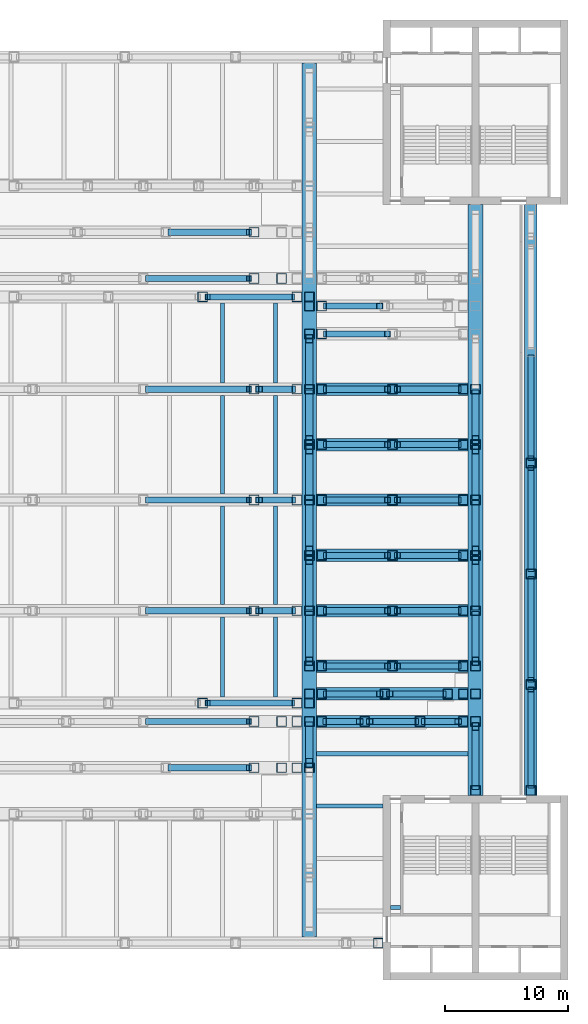
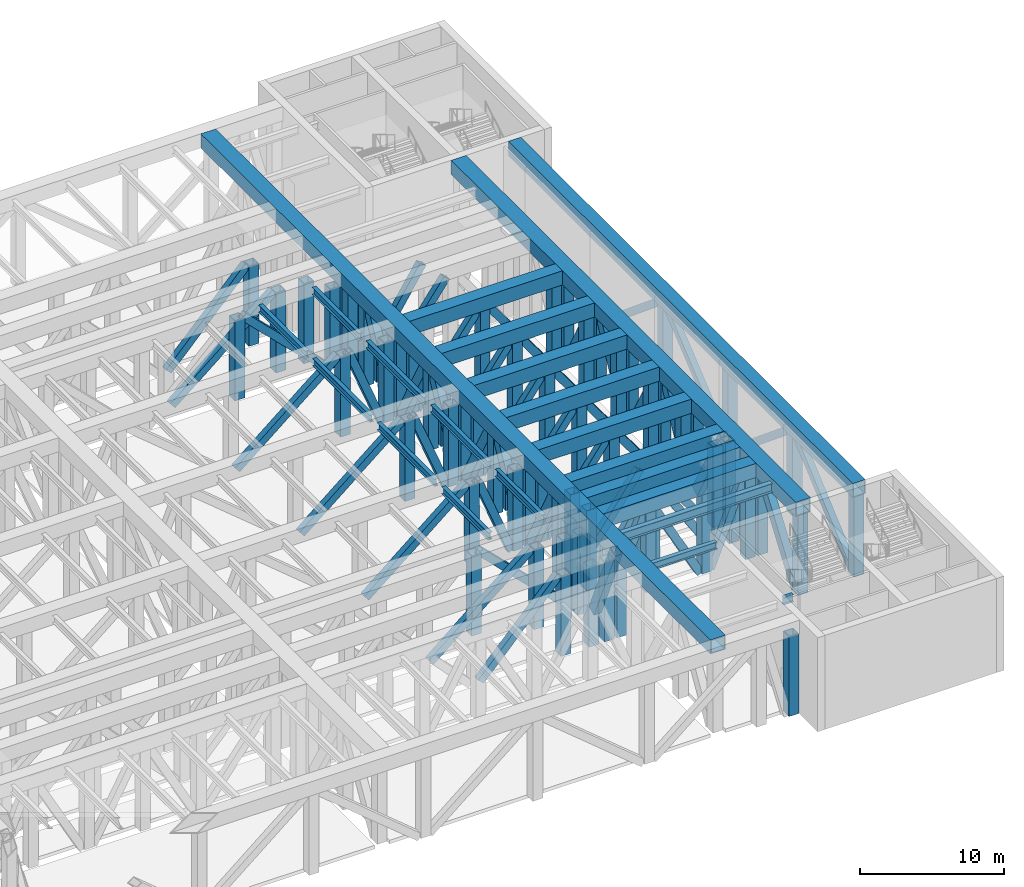
# One storey, part 4 of 20: 133 members, 11 beams.
"""IFC4 building model written with IfcOpenShell, lengths in metres."""

from ifc_helpers import new_model, si_unit, direction, frame, origin, origin_2d, place, context, subcontext, project, spatial, hollow_rectangle, i_section, extrude, material, material_profile, profile_set, type_object, element, save


model = new_model("IFC4")

# Units and contexts
model_context = context("Model", 3, precision=1e-05, world=origin(), true_north=direction((0.0, 1.0)))
body_context = subcontext(model_context, "Body", "Model", "MODEL_VIEW")
ifc_project = project(units=[si_unit("LENGTHUNIT", "METRE"), si_unit("AREAUNIT", "SQUARE_METRE"), si_unit("VOLUMEUNIT", "CUBIC_METRE"), si_unit("PLANEANGLEUNIT", "RADIAN"), si_unit("MASSUNIT", "GRAM", prefix="KILO")], contexts=[model_context])

# Site, building, storey
site_placement = place(None, origin())
site = spatial("IfcSite", under=ifc_project, at=site_placement, CompositionType="ELEMENT")
building_placement = place(site_placement, origin())
building = spatial("IfcBuilding", under=site, at=building_placement, Name="Corbelhall Arena Tower", CompositionType="ELEMENT")
storey_placement = place(building_placement, frame((0.0, 0.0, 52.0)))
storey = spatial("IfcBuildingStorey", under=building, at=storey_placement, Name="L07", CompositionType="ELEMENT", Elevation=52.0)

# Beams
ifc_material_1 = material(Name="Steel ASTM A992 Gr50", Category="steel")
ifc_material_profile_1 = material_profile(ifc_material_1, i_section(OverallWidth=0.323974609375, OverallDepth=0.611083984375, WebThickness=0.0126953125, FlangeThickness=0.01904296875, at=origin_2d()))
ifc_profile_set_1 = profile_set([ifc_material_profile_1], Name="Steel ASTM A992 Gr50")
beam_type_1 = type_object("IfcBeamType", Name="PO-BEAM-W24X104", PredefinedType="BEAM", material=ifc_profile_set_1)
for number, where, z_axis, x_axis, name in (
    (1, (19.949951171875, -16.0, 7.284423828125), (0.0, 1.0, 0.0), (-1.0, 0.0, 0.0), "DECK BEAM TOP 32.5"),
    (2, (24.25, -16.0, 7.284423828125), (0.0, 1.0, 0.0), (-1.0, 0.0, 0.0), "DECK BEAM TOP 32.6"),
):
    element("IfcBeam", number, at=place(storey_placement, frame(where, z_axis=z_axis, x_axis=x_axis)), inside=storey, type_object=beam_type_1, Name=name, PredefinedType="BEAM", context=body_context, shape_type="SweptSolid", body=[
        extrude(i_section(OverallWidth=0.323974609375, OverallDepth=0.611083984375, WebThickness=0.0126953125, FlangeThickness=0.01904296875, at=origin_2d()), origin(), (0.0, 0.0, 1.0), 6.5),
    ])
for number, where, z_axis, x_axis, name in (
    (3, (19.949951171875, -8.5, 7.284423828125), (0.0, 1.0, 0.0), (-1.0, 0.0, 0.0), "DECK BEAM TOP 33.5"),
    (4, (24.25, -8.5, 7.284423828125), (0.0, 1.0, 0.0), (-1.0, 0.0, 0.0), "DECK BEAM TOP 33.6"),
    (5, (19.949951171875, 0.5, 7.284423828125), (0.0, 1.0, 0.0), (-1.0, 0.0, 0.0), "DECK BEAM TOP 34.5"),
    (6, (24.25, 0.5, 7.284423828125), (0.0, 1.0, 0.0), (-1.0, 0.0, 0.0), "DECK BEAM TOP 34.6"),
):
    element("IfcBeam", number, at=place(storey_placement, frame(where, z_axis=z_axis, x_axis=x_axis)), inside=storey, type_object=beam_type_1, Name=name, PredefinedType="BEAM", context=body_context, shape_type="SweptSolid", body=[
        extrude(i_section(OverallWidth=0.323974609375, OverallDepth=0.611083984375, WebThickness=0.0126953125, FlangeThickness=0.01904296875, at=origin_2d()), origin(), (0.0, 0.0, 1.0), 8.0),
    ])
for number, where, z_axis, x_axis, name in (
    (7, (19.949951171875, 9.5, 7.284423828125), (0.0, 1.0, 0.0), (-1.0, 0.0, 0.0), "DECK BEAM TOP 35.5"),
    (8, (24.25, 9.5, 7.284423828125), (0.0, 1.0, 0.0), (-1.0, 0.0, 0.0), "DECK BEAM TOP 35.6"),
):
    element("IfcBeam", number, at=place(storey_placement, frame(where, z_axis=z_axis, x_axis=x_axis)), inside=storey, type_object=beam_type_1, Name=name, PredefinedType="BEAM", context=body_context, shape_type="SweptSolid", body=[
        extrude(i_section(OverallWidth=0.323974609375, OverallDepth=0.611083984375, WebThickness=0.0126953125, FlangeThickness=0.01904296875, at=origin_2d()), origin(), (0.0, 0.0, 1.0), 6.5),
    ])
beam_1_placement = place(storey_placement, frame((27.60009765625, -24.875, 7.39453125), z_axis=(1.0, 0.0, 0.0), x_axis=(0.0, 1.0, 0.0)))
element("IfcBeam", 9, at=beam_1_placement, inside=storey, type_object=beam_type_1, Name="DECK BEAM TOP 40.3", PredefinedType="BEAM", context=body_context, shape_type="SweptSolid", body=[
    extrude(i_section(OverallWidth=0.323974609375, OverallDepth=0.611083984375, WebThickness=0.0126953125, FlangeThickness=0.01904296875, at=origin_2d()), origin(), (0.0, 0.0, 1.0), 5.39990234375),
])
beam_2_placement = place(storey_placement, frame((33.60009765625, -33.10009765625, 7.39453125), z_axis=(1.0, 0.0, 0.0), x_axis=(0.0, 1.0, 0.0)))
element("IfcBeam", 10, at=beam_2_placement, inside=storey, type_object=beam_type_1, Name="Strip floor header beam SE", PredefinedType="BEAM", context=body_context, shape_type="SweptSolid", body=[
    extrude(i_section(OverallWidth=0.323974609375, OverallDepth=0.611083984375, WebThickness=0.0126953125, FlangeThickness=0.01904296875, at=origin_2d()), origin(), (0.0, 0.0, 1.0), 0.809814453125),
])
ifc_material_profile_2 = material_profile(ifc_material_1, i_section(OverallWidth=0.381103515625, OverallDepth=0.77294921875, WebThickness=0.0166015625, FlangeThickness=0.027099609375, at=origin_2d()))
ifc_profile_set_2 = profile_set([ifc_material_profile_2], Name="Steel ASTM A992 Gr50")
beam_type_2 = type_object("IfcBeamType", Name="PO-BEAM-W30X173", PredefinedType="BEAM", material=ifc_profile_set_2)
beam_3_placement = place(storey_placement, frame((27.60009765625, -20.625, 7.3134765625), z_axis=(1.0, 0.0, 0.0), x_axis=(0.0, 1.0, 0.0)))
element("IfcBeam", 11, at=beam_3_placement, inside=storey, type_object=beam_type_2, Name="DECK BEAM TOP 40.4", PredefinedType="BEAM", context=body_context, shape_type="SweptSolid", body=[
    extrude(i_section(OverallWidth=0.381103515625, OverallDepth=0.77294921875, WebThickness=0.0166015625, FlangeThickness=0.027099609375, at=origin_2d()), origin(), (0.0, 0.0, 1.0), 12.2998046875),
])

# Members
ifc_material_2 = material(Name="Steel ASTM A572 Gr50", Category="steel")
ifc_material_profile_3 = material_profile(ifc_material_2, hollow_rectangle(XDim=0.5, YDim=0.60009765625, WallThickness=0.030029296875, at=origin_2d()))
ifc_profile_set_3 = profile_set([ifc_material_profile_3], Name="Steel ASTM A572 Gr50")
member_type_1 = type_object("IfcMemberType", Name="PO-BRACE-600X500X30", PredefinedType="BRACE", material=ifc_profile_set_3)
member_1_placement = place(storey_placement, frame((45.0, -23.199951171875, 0.0), z_axis=(0.0, 0.753772430258, 0.657135544148), x_axis=(-1.0, 0.0, 0.0)))
element("IfcMember", 12, at=member_1_placement, inside=storey, type_object=member_type_1, Name="TRUSS EDGE-E BRACE 2.1", PredefinedType="BRACE", context=body_context, shape_type="SweptSolid", body=[
    extrude(hollow_rectangle(XDim=0.5, YDim=0.60009765625, WallThickness=0.030029296875, at=origin_2d()), origin(), (0.0, 0.0, 1.0), 10.347900390625),
])
for number, where, z_axis, x_axis, name in (
    (13, (45.0, -14.60009765625, 6.800048828125), (0.0, 0.769763178873, -0.638329576669), (-1.0, 0.0, 0.0), "TRUSS EDGE-E BRACE 2.2"),
    (14, (45.0, -5.60009765625, 0.0), (0.0, 0.769763178873, 0.638329576669), (-1.0, 0.0, 0.0), "TRUSS EDGE-E BRACE 2.3"),
    (15, (45.0, 3.39990234375, 6.800048828125), (0.0, 0.769763178873, -0.638329576669), (-1.0, 0.0, 0.0), "TRUSS EDGE-E BRACE 2.4"),
):
    element("IfcMember", number, at=place(storey_placement, frame(where, z_axis=z_axis, x_axis=x_axis)), inside=storey, type_object=member_type_1, Name=name, PredefinedType="BRACE", context=body_context, shape_type="SweptSolid", body=[
        extrude(hollow_rectangle(XDim=0.5, YDim=0.60009765625, WallThickness=0.030029296875, at=origin_2d()), origin(), (0.0, 0.0, 1.0), 10.65283203125),
    ])
member_2_placement = place(storey_placement, frame((15.7333984375, -21.75, 0.0), z_axis=(0.683464108742, 0.0, 0.729984117677), x_axis=(0.0, 1.0, 0.0)))
element("IfcMember", 16, at=member_2_placement, inside=storey, type_object=member_type_1, Name="TRUSS SEC-S21.75-2 BRACE 2.3", PredefinedType="BRACE", context=body_context, shape_type="SweptSolid", body=[
    extrude(hollow_rectangle(XDim=0.5, YDim=0.60009765625, WallThickness=0.030029296875, at=origin_2d()), origin(), (0.0, 0.0, 1.0), 9.3154296875),
])
member_3_placement = place(storey_placement, frame((13.89990234375, -18.0, 0.0), z_axis=(0.769763178873, 0.0, 0.638329576669), x_axis=(0.0, 1.0, 0.0)))
element("IfcMember", 17, at=member_3_placement, inside=storey, type_object=member_type_1, Name="TRUSS SEC-S18.00-2 BRACE 2.3", PredefinedType="BRACE", context=body_context, shape_type="SweptSolid", body=[
    extrude(hollow_rectangle(XDim=0.5, YDim=0.60009765625, WallThickness=0.030029296875, at=origin_2d()), origin(), (0.0, 0.0, 1.0), 10.65283203125),
])
member_4_placement = place(storey_placement, frame((28.39990234375, -18.0, 0.0), z_axis=(0.369053718093, 0.0, 0.929408066008), x_axis=(0.0, 1.0, 0.0)))
element("IfcMember", 18, at=member_4_placement, inside=storey, type_object=member_type_1, Name="TRUSS SEC-S18.00-3 BRACE 2.1", PredefinedType="BRACE", context=body_context, shape_type="SweptSolid", body=[
    extrude(hollow_rectangle(XDim=0.5, YDim=0.60009765625, WallThickness=0.030029296875, at=origin_2d()), origin(), (0.0, 0.0, 1.0), 7.316650390625),
])
member_5_placement = place(storey_placement, frame((31.89990234375, -18.0, 6.800048828125), z_axis=(0.477963647565, 0.0, -0.878379617026), x_axis=(0.0, 1.0, 0.0)))
element("IfcMember", 19, at=member_5_placement, inside=storey, type_object=member_type_1, Name="TRUSS SEC-S18.00-3 BRACE 2.2", PredefinedType="BRACE", context=body_context, shape_type="SweptSolid", body=[
    extrude(hollow_rectangle(XDim=0.5, YDim=0.60009765625, WallThickness=0.030029296875, at=origin_2d()), origin(), (0.0, 0.0, 1.0), 7.74169921875),
])
member_6_placement = place(storey_placement, frame((36.39990234375, -18.0, 0.0), z_axis=(0.369053718093, 0.0, 0.929408066008), x_axis=(0.0, 1.0, 0.0)))
element("IfcMember", 20, at=member_6_placement, inside=storey, type_object=member_type_1, Name="TRUSS SEC-S18.00-3 BRACE 2.3", PredefinedType="BRACE", context=body_context, shape_type="SweptSolid", body=[
    extrude(hollow_rectangle(XDim=0.5, YDim=0.60009765625, WallThickness=0.030029296875, at=origin_2d()), origin(), (0.0, 0.0, 1.0), 7.316650390625),
])
member_7_placement = place(storey_placement, frame((18.7333984375, -16.5, 6.800048828125), z_axis=(0.71054677033, 0.0, -0.703649974898), x_axis=(0.0, 1.0, 0.0)))
element("IfcMember", 21, at=member_7_placement, inside=storey, type_object=member_type_1, Name="TRUSS SEC-S16.50-2 BRACE 2.4", PredefinedType="BRACE", context=body_context, shape_type="SweptSolid", body=[
    extrude(hollow_rectangle(XDim=0.5, YDim=0.60009765625, WallThickness=0.030029296875, at=origin_2d()), origin(), (0.0, 0.0, 1.0), 9.6640625),
])
for number, where, z_axis, x_axis, name in (
    (22, (28.39990234375, -15.75, 0.0), (0.536689259852, 0.0, 0.843779970347), (0.0, 1.0, 0.0), "TRUSS SEC-S15.75-3 BRACE 2.1"),
    (23, (33.52490234375, -15.75, 6.800048828125), (0.536689259852, 0.0, -0.843779970347), (0.0, 1.0, 0.0), "TRUSS SEC-S15.75-3 BRACE 2.2"),
):
    element("IfcMember", number, at=place(storey_placement, frame(where, z_axis=z_axis, x_axis=x_axis)), inside=storey, type_object=member_type_1, Name=name, PredefinedType="BRACE", context=body_context, shape_type="SweptSolid", body=[
        extrude(hollow_rectangle(XDim=0.5, YDim=0.60009765625, WallThickness=0.030029296875, at=origin_2d()), origin(), (0.0, 0.0, 1.0), 8.05908203125),
    ])
for number, where, z_axis, x_axis, name in (
    (24, (28.39990234375, -13.5, 0.0), (0.588537525925, 0.0, 0.808469900848), (0.0, 1.0, 0.0), "TRUSS SEC-S13.50-3 BRACE 2.1"),
    (25, (34.14990234375, -13.5, 6.800048828125), (0.588537525925, 0.0, -0.808469900848), (0.0, 1.0, 0.0), "TRUSS SEC-S13.50-3 BRACE 2.2"),
):
    element("IfcMember", number, at=place(storey_placement, frame(where, z_axis=z_axis, x_axis=x_axis)), inside=storey, type_object=member_type_1, Name=name, PredefinedType="BRACE", context=body_context, shape_type="SweptSolid", body=[
        extrude(hollow_rectangle(XDim=0.5, YDim=0.60009765625, WallThickness=0.030029296875, at=origin_2d()), origin(), (0.0, 0.0, 1.0), 8.410888671875),
    ])
member_8_placement = place(storey_placement, frame((13.89990234375, -9.0, 0.0), z_axis=(0.769763178873, 0.0, 0.638329576669), x_axis=(0.0, 1.0, 0.0)))
element("IfcMember", 26, at=member_8_placement, inside=storey, type_object=member_type_1, Name="TRUSS SEC-S09.00-2 BRACE 2.3", PredefinedType="BRACE", context=body_context, shape_type="SweptSolid", body=[
    extrude(hollow_rectangle(XDim=0.5, YDim=0.60009765625, WallThickness=0.030029296875, at=origin_2d()), origin(), (0.0, 0.0, 1.0), 10.65283203125),
])
member_9_placement = place(storey_placement, frame((22.89990234375, -9.0, 6.800048828125), z_axis=(0.369053718093, 0.0, -0.929408066008), x_axis=(0.0, 1.0, 0.0)))
element("IfcMember", 27, at=member_9_placement, inside=storey, type_object=member_type_1, Name="TRUSS SEC-S09.00-2 BRACE 2.4", PredefinedType="BRACE", context=body_context, shape_type="SweptSolid", body=[
    extrude(hollow_rectangle(XDim=0.5, YDim=0.60009765625, WallThickness=0.030029296875, at=origin_2d()), origin(), (0.0, 0.0, 1.0), 7.316650390625),
])
for number, where, z_axis, x_axis, name in (
    (28, (28.39990234375, -9.0, 0.0), (0.588537525925, 0.0, 0.808469900848), (0.0, 1.0, 0.0), "TRUSS SEC-S09.00-3 BRACE 2.1"),
    (29, (34.14990234375, -9.0, 6.800048828125), (0.588537525925, 0.0, -0.808469900848), (0.0, 1.0, 0.0), "TRUSS SEC-S09.00-3 BRACE 2.2"),
    (30, (28.39990234375, -4.5, 0.0), (0.588537525925, 0.0, 0.808469900848), (0.0, 1.0, 0.0), "TRUSS SEC-S04.50-3 BRACE 2.1"),
    (31, (34.14990234375, -4.5, 6.800048828125), (0.588537525925, 0.0, -0.808469900848), (0.0, 1.0, 0.0), "TRUSS SEC-S04.50-3 BRACE 2.2"),
):
    element("IfcMember", number, at=place(storey_placement, frame(where, z_axis=z_axis, x_axis=x_axis)), inside=storey, type_object=member_type_1, Name=name, PredefinedType="BRACE", context=body_context, shape_type="SweptSolid", body=[
        extrude(hollow_rectangle(XDim=0.5, YDim=0.60009765625, WallThickness=0.030029296875, at=origin_2d()), origin(), (0.0, 0.0, 1.0), 8.410888671875),
    ])
member_10_placement = place(storey_placement, frame((13.89990234375, 0.0, 0.0), z_axis=(0.769763178873, 0.0, 0.638329576669), x_axis=(0.0, 1.0, 0.0)))
element("IfcMember", 32, at=member_10_placement, inside=storey, type_object=member_type_1, Name="TRUSS SEC-N00.00-2 BRACE 2.3", PredefinedType="BRACE", context=body_context, shape_type="SweptSolid", body=[
    extrude(hollow_rectangle(XDim=0.5, YDim=0.60009765625, WallThickness=0.030029296875, at=origin_2d()), origin(), (0.0, 0.0, 1.0), 10.65283203125),
])
member_11_placement = place(storey_placement, frame((22.89990234375, 0.0, 6.800048828125), z_axis=(0.369053718093, 0.0, -0.929408066008), x_axis=(0.0, 1.0, 0.0)))
element("IfcMember", 33, at=member_11_placement, inside=storey, type_object=member_type_1, Name="TRUSS SEC-N00.00-2 BRACE 2.4", PredefinedType="BRACE", context=body_context, shape_type="SweptSolid", body=[
    extrude(hollow_rectangle(XDim=0.5, YDim=0.60009765625, WallThickness=0.030029296875, at=origin_2d()), origin(), (0.0, 0.0, 1.0), 7.316650390625),
])
for number, where, z_axis, x_axis, name in (
    (34, (28.39990234375, 0.0, 0.0), (0.588537525925, 0.0, 0.808469900848), (0.0, 1.0, 0.0), "TRUSS SEC-N00.00-3 BRACE 2.1"),
    (35, (34.14990234375, 0.0, 6.800048828125), (0.588537525925, 0.0, -0.808469900848), (0.0, 1.0, 0.0), "TRUSS SEC-N00.00-3 BRACE 2.2"),
    (36, (28.39990234375, 4.5, 0.0), (0.588537525925, 0.0, 0.808469900848), (0.0, 1.0, 0.0), "TRUSS SEC-N04.50-3 BRACE 2.1"),
    (37, (34.14990234375, 4.5, 6.800048828125), (0.588537525925, 0.0, -0.808469900848), (0.0, 1.0, 0.0), "TRUSS SEC-N04.50-3 BRACE 2.2"),
):
    element("IfcMember", number, at=place(storey_placement, frame(where, z_axis=z_axis, x_axis=x_axis)), inside=storey, type_object=member_type_1, Name=name, PredefinedType="BRACE", context=body_context, shape_type="SweptSolid", body=[
        extrude(hollow_rectangle(XDim=0.5, YDim=0.60009765625, WallThickness=0.030029296875, at=origin_2d()), origin(), (0.0, 0.0, 1.0), 8.410888671875),
    ])
member_12_placement = place(storey_placement, frame((13.89990234375, 9.0, 0.0), z_axis=(0.769763178873, 0.0, 0.638329576669), x_axis=(0.0, 1.0, 0.0)))
element("IfcMember", 38, at=member_12_placement, inside=storey, type_object=member_type_1, Name="TRUSS SEC-N09.00-2 BRACE 2.3", PredefinedType="BRACE", context=body_context, shape_type="SweptSolid", body=[
    extrude(hollow_rectangle(XDim=0.5, YDim=0.60009765625, WallThickness=0.030029296875, at=origin_2d()), origin(), (0.0, 0.0, 1.0), 10.65283203125),
])
member_13_placement = place(storey_placement, frame((22.89990234375, 9.0, 6.800048828125), z_axis=(0.369053718093, 0.0, -0.929408066008), x_axis=(0.0, 1.0, 0.0)))
element("IfcMember", 39, at=member_13_placement, inside=storey, type_object=member_type_1, Name="TRUSS SEC-N09.00-2 BRACE 2.4", PredefinedType="BRACE", context=body_context, shape_type="SweptSolid", body=[
    extrude(hollow_rectangle(XDim=0.5, YDim=0.60009765625, WallThickness=0.030029296875, at=origin_2d()), origin(), (0.0, 0.0, 1.0), 7.316650390625),
])
for number, where, z_axis, x_axis, name in (
    (40, (28.39990234375, 9.0, 0.0), (0.588537525925, 0.0, 0.808469900848), (0.0, 1.0, 0.0), "TRUSS SEC-N09.00-3 BRACE 2.1"),
    (41, (34.14990234375, 9.0, 6.800048828125), (0.588537525925, 0.0, -0.808469900848), (0.0, 1.0, 0.0), "TRUSS SEC-N09.00-3 BRACE 2.2"),
    (42, (28.39990234375, 13.5, 0.0), (0.588537525925, 0.0, 0.808469900848), (0.0, 1.0, 0.0), "TRUSS SEC-N13.50-3 BRACE 2.1"),
):
    element("IfcMember", number, at=place(storey_placement, frame(where, z_axis=z_axis, x_axis=x_axis)), inside=storey, type_object=member_type_1, Name=name, PredefinedType="BRACE", context=body_context, shape_type="SweptSolid", body=[
        extrude(hollow_rectangle(XDim=0.5, YDim=0.60009765625, WallThickness=0.030029296875, at=origin_2d()), origin(), (0.0, 0.0, 1.0), 8.410888671875),
    ])
member_14_placement = place(storey_placement, frame((28.39990234375, 15.75, 0.0), z_axis=(0.536689259852, 0.0, 0.843779970347), x_axis=(0.0, 1.0, 0.0)))
element("IfcMember", 43, at=member_14_placement, inside=storey, type_object=member_type_1, Name="TRUSS SEC-N15.75-3 BRACE 2.1", PredefinedType="BRACE", context=body_context, shape_type="SweptSolid", body=[
    extrude(hollow_rectangle(XDim=0.5, YDim=0.60009765625, WallThickness=0.030029296875, at=origin_2d()), origin(), (0.0, 0.0, 1.0), 8.05908203125),
])
member_15_placement = place(storey_placement, frame((18.7333984375, 16.5, 6.800048828125), z_axis=(0.71054677033, 0.0, -0.703649974898), x_axis=(0.0, 1.0, 0.0)))
element("IfcMember", 44, at=member_15_placement, inside=storey, type_object=member_type_1, Name="TRUSS SEC-N16.50-2 BRACE 2.4", PredefinedType="BRACE", context=body_context, shape_type="SweptSolid", body=[
    extrude(hollow_rectangle(XDim=0.5, YDim=0.60009765625, WallThickness=0.030029296875, at=origin_2d()), origin(), (0.0, 0.0, 1.0), 9.6640625),
])
member_16_placement = place(storey_placement, frame((13.89990234375, 18.0, 0.0), z_axis=(0.769763178873, 0.0, 0.638329576669), x_axis=(0.0, 1.0, 0.0)))
element("IfcMember", 45, at=member_16_placement, inside=storey, type_object=member_type_1, Name="TRUSS SEC-N18.00-2 BRACE 2.3", PredefinedType="BRACE", context=body_context, shape_type="SweptSolid", body=[
    extrude(hollow_rectangle(XDim=0.5, YDim=0.60009765625, WallThickness=0.030029296875, at=origin_2d()), origin(), (0.0, 0.0, 1.0), 10.65283203125),
])
member_17_placement = place(storey_placement, frame((15.7333984375, 21.75, 0.0), z_axis=(0.683464108742, 0.0, 0.729984117677), x_axis=(0.0, 1.0, 0.0)))
element("IfcMember", 46, at=member_17_placement, inside=storey, type_object=member_type_1, Name="TRUSS SEC-N21.75-2 BRACE 2.3", PredefinedType="BRACE", context=body_context, shape_type="SweptSolid", body=[
    extrude(hollow_rectangle(XDim=0.5, YDim=0.60009765625, WallThickness=0.030029296875, at=origin_2d()), origin(), (0.0, 0.0, 1.0), 9.3154296875),
])
ifc_material_profile_4 = material_profile(ifc_material_2, hollow_rectangle(XDim=0.60009765625, YDim=0.800048828125, WallThickness=0.0400390625, at=origin_2d()))
ifc_profile_set_4 = profile_set([ifc_material_profile_4], Name="Steel ASTM A572 Gr50")
member_type_2 = type_object("IfcMemberType", Name="PO-BRACE-800X600X40", PredefinedType="BRACE", material=ifc_profile_set_4)
member_18_placement = place(storey_placement, frame((27.0, -21.35009765625, 6.800048828125), z_axis=(0.0, 0.398005781953, -0.917382906715), x_axis=(-1.0, 0.0, 0.0)))
element("IfcMember", 47, at=member_18_placement, inside=storey, type_object=member_type_2, Name="TRUSS PRI-+27.0 BRACE 2.4", PredefinedType="BRACE", context=body_context, shape_type="SweptSolid", body=[
    extrude(hollow_rectangle(XDim=0.60009765625, YDim=0.800048828125, WallThickness=0.0400390625, at=origin_2d()), origin(), (0.0, 0.0, 1.0), 7.412353515625),
])
for number, where, z_axis, x_axis, name in (
    (48, (27.0, -13.10009765625, 6.800048828125), (0.0, 0.477963647565, -0.878379617026), (-1.0, 0.0, 0.0), "TRUSS PRI-+27.0 BRACE 2.8"),
    (49, (27.0, -8.60009765625, 0.0), (0.0, 0.477963647565, 0.878379617026), (-1.0, 0.0, 0.0), "TRUSS PRI-+27.0 BRACE 2.9"),
    (50, (27.0, -4.10009765625, 6.800048828125), (0.0, 0.477963647565, -0.878379617026), (-1.0, 0.0, 0.0), "TRUSS PRI-+27.0 BRACE 2.10"),
    (51, (27.0, 0.39990234375, 0.0), (0.0, 0.477963647565, 0.878379617026), (-1.0, 0.0, 0.0), "TRUSS PRI-+27.0 BRACE 2.11"),
    (52, (27.0, 4.89990234375, 6.800048828125), (0.0, 0.477963647565, -0.878379617026), (-1.0, 0.0, 0.0), "TRUSS PRI-+27.0 BRACE 2.12"),
    (53, (27.0, 9.39990234375, 0.0), (0.0, 0.477963647565, 0.878379617026), (-1.0, 0.0, 0.0), "TRUSS PRI-+27.0 BRACE 2.13"),
):
    element("IfcMember", number, at=place(storey_placement, frame(where, z_axis=z_axis, x_axis=x_axis)), inside=storey, type_object=member_type_2, Name=name, PredefinedType="BRACE", context=body_context, shape_type="SweptSolid", body=[
        extrude(hollow_rectangle(XDim=0.60009765625, YDim=0.800048828125, WallThickness=0.0400390625, at=origin_2d()), origin(), (0.0, 0.0, 1.0), 7.74169921875),
    ])
member_19_placement = place(storey_placement, frame((40.5, -23.199951171875, 0.0), z_axis=(0.0, 0.576684349177, 0.816967050385), x_axis=(-1.0, 0.0, 0.0)))
element("IfcMember", 54, at=member_19_placement, inside=storey, type_object=member_type_2, Name="TRUSS PRI-+40.5 BRACE 2.1", PredefinedType="BRACE", context=body_context, shape_type="SweptSolid", body=[
    extrude(hollow_rectangle(XDim=0.60009765625, YDim=0.800048828125, WallThickness=0.0400390625, at=origin_2d()), origin(), (0.0, 0.0, 1.0), 8.323486328125),
])
for number, where, z_axis, x_axis, name in (
    (55, (40.5, -13.10009765625, 6.800048828125), (0.0, 0.477963647565, -0.878379617026), (-1.0, 0.0, 0.0), "TRUSS PRI-+40.5 BRACE 2.4"),
    (56, (40.5, -8.60009765625, 0.0), (0.0, 0.477963647565, 0.878379617026), (-1.0, 0.0, 0.0), "TRUSS PRI-+40.5 BRACE 2.5"),
    (57, (40.5, -4.10009765625, 6.800048828125), (0.0, 0.477963647565, -0.878379617026), (-1.0, 0.0, 0.0), "TRUSS PRI-+40.5 BRACE 2.6"),
    (58, (40.5, 0.39990234375, 0.0), (0.0, 0.477963647565, 0.878379617026), (-1.0, 0.0, 0.0), "TRUSS PRI-+40.5 BRACE 2.7"),
    (59, (40.5, 4.89990234375, 6.800048828125), (0.0, 0.477963647565, -0.878379617026), (-1.0, 0.0, 0.0), "TRUSS PRI-+40.5 BRACE 2.8"),
):
    element("IfcMember", number, at=place(storey_placement, frame(where, z_axis=z_axis, x_axis=x_axis)), inside=storey, type_object=member_type_2, Name=name, PredefinedType="BRACE", context=body_context, shape_type="SweptSolid", body=[
        extrude(hollow_rectangle(XDim=0.60009765625, YDim=0.800048828125, WallThickness=0.0400390625, at=origin_2d()), origin(), (0.0, 0.0, 1.0), 7.74169921875),
    ])
ifc_material_profile_5 = material_profile(ifc_material_2, hollow_rectangle(XDim=1.0, YDim=1.199951171875, WallThickness=0.06005859375, at=origin_2d()))
ifc_profile_set_5 = profile_set([ifc_material_profile_5], Name="Steel ASTM A572 Gr50")
member_type_3 = type_object("IfcMemberType", Name="PO-CHORD-1200X1000X60", PredefinedType="CHORD", material=ifc_profile_set_5)
member_20_placement = place(storey_placement, frame((45.0, -24.0, 7.39990234375), z_axis=(0.0, 1.0, 0.0), x_axis=(-1.0, 0.0, 0.0)))
element("IfcMember", 60, at=member_20_placement, inside=storey, type_object=member_type_3, Name="TRUSS EDGE-E TOP CHORD", PredefinedType="CHORD", context=body_context, shape_type="SweptSolid", body=[
    extrude(hollow_rectangle(XDim=1.0, YDim=1.199951171875, WallThickness=0.06005859375, at=origin_2d()), origin(), (0.0, 0.0, 1.0), 48.0),
])
for number, where, z_axis, x_axis, name in (
    (61, (27.60009765625, -18.0, 7.39990234375), (1.0, 0.0, 0.0), (0.0, 1.0, 0.0), "TRUSS SEC-S18.00-3 TOP CHORD"),
    (62, (27.60009765625, -15.75, 7.39990234375), (1.0, 0.0, 0.0), (0.0, 1.0, 0.0), "TRUSS SEC-S15.75-3 TOP CHORD"),
    (63, (27.60009765625, -13.5, 7.39990234375), (1.0, 0.0, 0.0), (0.0, 1.0, 0.0), "TRUSS SEC-S13.50-3 TOP CHORD"),
    (64, (27.60009765625, -9.0, 7.39990234375), (1.0, 0.0, 0.0), (0.0, 1.0, 0.0), "TRUSS SEC-S09.00-3 TOP CHORD"),
    (65, (27.60009765625, -4.5, 7.39990234375), (1.0, 0.0, 0.0), (0.0, 1.0, 0.0), "TRUSS SEC-S04.50-3 TOP CHORD"),
    (66, (27.60009765625, 0.0, 7.39990234375), (1.0, 0.0, 0.0), (0.0, 1.0, 0.0), "TRUSS SEC-N00.00-3 TOP CHORD"),
    (67, (27.60009765625, 4.5, 7.39990234375), (1.0, 0.0, 0.0), (0.0, 1.0, 0.0), "TRUSS SEC-N04.50-3 TOP CHORD"),
    (68, (27.60009765625, 9.0, 7.39990234375), (1.0, 0.0, 0.0), (0.0, 1.0, 0.0), "TRUSS SEC-N09.00-3 TOP CHORD"),
):
    element("IfcMember", number, at=place(storey_placement, frame(where, z_axis=z_axis, x_axis=x_axis)), inside=storey, type_object=member_type_3, Name=name, PredefinedType="CHORD", context=body_context, shape_type="SweptSolid", body=[
        extrude(hollow_rectangle(XDim=1.0, YDim=1.199951171875, WallThickness=0.06005859375, at=origin_2d()), origin(), (0.0, 0.0, 1.0), 12.2998046875),
    ])
ifc_material_profile_6 = material_profile(ifc_material_2, hollow_rectangle(XDim=1.199951171875, YDim=1.199951171875, WallThickness=0.080078125, at=origin_2d()))
ifc_profile_set_6 = profile_set([ifc_material_profile_6], Name="Steel ASTM A572 Gr50")
member_type_4 = type_object("IfcMemberType", Name="PO-CHORD-1200X1200X80", PredefinedType="CHORD", material=ifc_profile_set_6)
member_21_placement = place(storey_placement, frame((27.0, -35.5, 7.39990234375), z_axis=(0.0, 1.0, 0.0), x_axis=(-1.0, 0.0, 0.0)))
element("IfcMember", 69, at=member_21_placement, inside=storey, type_object=member_type_4, Name="TRUSS PRI-+27.0 TOP CHORD", PredefinedType="CHORD", context=body_context, shape_type="SweptSolid", body=[
    extrude(hollow_rectangle(XDim=1.199951171875, YDim=1.199951171875, WallThickness=0.080078125, at=origin_2d()), origin(), (0.0, 0.0, 1.0), 71.0),
])
member_22_placement = place(storey_placement, frame((40.5, -24.0, 7.39990234375), z_axis=(0.0, 1.0, 0.0), x_axis=(-1.0, 0.0, 0.0)))
element("IfcMember", 70, at=member_22_placement, inside=storey, type_object=member_type_4, Name="TRUSS PRI-+40.5 TOP CHORD", PredefinedType="CHORD", context=body_context, shape_type="SweptSolid", body=[
    extrude(hollow_rectangle(XDim=1.199951171875, YDim=1.199951171875, WallThickness=0.080078125, at=origin_2d()), origin(), (0.0, 0.0, 1.0), 48.0),
])
ifc_material_profile_7 = material_profile(ifc_material_2, hollow_rectangle(XDim=0.800048828125, YDim=0.800048828125, WallThickness=0.050048828125, at=origin_2d()))
ifc_profile_set_7 = profile_set([ifc_material_profile_7], Name="Steel ASTM A572 Gr50")
member_type_5 = type_object("IfcMemberType", Name="PO-POST-800", PredefinedType="POST", material=ifc_profile_set_7)
for number, where, z_axis, x_axis, name in (
    (71, (32.60009765625, -36.0, 0.0), (0.0, 0.0, 1.0), (1.0, 0.0, 0.0), "TRUSS EDGE-S POST 2.9"),
    (72, (45.0, -23.60009765625, 0.0), (0.0, 0.0, 1.0), (1.0, 0.0, 0.0), "TRUSS EDGE-E POST 2.1"),
    (73, (45.0, -15.0, 0.0), (0.0, 0.0, 1.0), (1.0, 0.0, 0.0), "TRUSS EDGE-E POST 2.2"),
    (74, (45.0, -6.0, 0.0), (0.0, 0.0, 1.0), (1.0, 0.0, 0.0), "TRUSS EDGE-E POST 2.3"),
    (75, (45.0, 3.0, 0.0), (0.0, 0.0, 1.0), (1.0, 0.0, 0.0), "TRUSS EDGE-E POST 2.4"),
    (76, (22.5, -21.75, 0.0), (0.0, 0.0, 1.0), (1.0, 0.0, 0.0), "TRUSS SEC-S21.75-2 POST 2.4"),
    (77, (24.75, -21.75, 0.0), (0.0, 0.0, 1.0), (1.0, 0.0, 0.0), "TRUSS SEC-S21.75-2 POST 2.5"),
    (78, (26.0, -21.75, 0.0), (0.0, 0.0, 1.0), (1.0, 0.0, 0.0), "TRUSS SEC-S21.75-2 POST 2.6"),
    (79, (22.5, -18.0, 0.0), (0.0, 0.0, 1.0), (1.0, 0.0, 0.0), "TRUSS SEC-S18.00-2 POST 2.4"),
    (80, (24.75, -18.0, 0.0), (0.0, 0.0, 1.0), (1.0, 0.0, 0.0), "TRUSS SEC-S18.00-2 POST 2.5"),
    (81, (26.0, -18.0, 0.0), (0.0, 0.0, 1.0), (1.0, 0.0, 0.0), "TRUSS SEC-S18.00-2 POST 2.6"),
    (82, (28.0, -18.0, 0.0), (0.0, 0.0, 1.0), (1.0, 0.0, 0.0), "TRUSS SEC-S18.00-3 POST 2.1"),
    (83, (31.5, -18.0, 0.0), (0.0, 0.0, 1.0), (1.0, 0.0, 0.0), "TRUSS SEC-S18.00-3 POST 2.2"),
    (84, (36.0, -18.0, 0.0), (0.0, 0.0, 1.0), (1.0, 0.0, 0.0), "TRUSS SEC-S18.00-3 POST 2.3"),
    (85, (39.5, -18.0, 0.0), (0.0, 0.0, 1.0), (1.0, 0.0, 0.0), "TRUSS SEC-S18.00-3 POST 2.4"),
    (86, (18.333251953125, -16.5, 0.0), (0.0, 0.0, 1.0), (1.0, 0.0, 0.0), "TRUSS SEC-S16.50-2 POST 2.4"),
    (87, (26.0, -16.5, 0.0), (0.0, 0.0, 1.0), (1.0, 0.0, 0.0), "TRUSS SEC-S16.50-2 POST 2.5"),
    (88, (28.0, -15.75, 0.0), (0.0, 0.0, 1.0), (1.0, 0.0, 0.0), "TRUSS SEC-S15.75-3 POST 2.1"),
    (89, (33.125, -15.75, 0.0), (0.0, 0.0, 1.0), (1.0, 0.0, 0.0), "TRUSS SEC-S15.75-3 POST 2.2"),
    (90, (38.25, -15.75, 0.0), (0.0, 0.0, 1.0), (1.0, 0.0, 0.0), "TRUSS SEC-S15.75-3 POST 2.3"),
    (91, (39.5, -15.75, 0.0), (0.0, 0.0, 1.0), (1.0, 0.0, 0.0), "TRUSS SEC-S15.75-3 POST 2.4"),
    (92, (28.0, -13.5, 0.0), (0.0, 0.0, 1.0), (1.0, 0.0, 0.0), "TRUSS SEC-S13.50-3 POST 2.1"),
    (93, (33.75, -13.5, 0.0), (0.0, 0.0, 1.0), (1.0, 0.0, 0.0), "TRUSS SEC-S13.50-3 POST 2.2"),
    (94, (39.5, -13.5, 0.0), (0.0, 0.0, 1.0), (1.0, 0.0, 0.0), "TRUSS SEC-S13.50-3 POST 2.3"),
    (95, (22.5, -9.0, 0.0), (0.0, 0.0, 1.0), (1.0, 0.0, 0.0), "TRUSS SEC-S09.00-2 POST 2.4"),
    (96, (26.0, -9.0, 0.0), (0.0, 0.0, 1.0), (1.0, 0.0, 0.0), "TRUSS SEC-S09.00-2 POST 2.5"),
    (97, (28.0, -9.0, 0.0), (0.0, 0.0, 1.0), (1.0, 0.0, 0.0), "TRUSS SEC-S09.00-3 POST 2.1"),
    (98, (33.75, -9.0, 0.0), (0.0, 0.0, 1.0), (1.0, 0.0, 0.0), "TRUSS SEC-S09.00-3 POST 2.2"),
    (99, (39.5, -9.0, 0.0), (0.0, 0.0, 1.0), (1.0, 0.0, 0.0), "TRUSS SEC-S09.00-3 POST 2.3"),
    (100, (28.0, -4.5, 0.0), (0.0, 0.0, 1.0), (1.0, 0.0, 0.0), "TRUSS SEC-S04.50-3 POST 2.1"),
    (101, (33.75, -4.5, 0.0), (0.0, 0.0, 1.0), (1.0, 0.0, 0.0), "TRUSS SEC-S04.50-3 POST 2.2"),
    (102, (39.5, -4.5, 0.0), (0.0, 0.0, 1.0), (1.0, 0.0, 0.0), "TRUSS SEC-S04.50-3 POST 2.3"),
    (103, (22.5, 0.0, 0.0), (0.0, 0.0, 1.0), (1.0, 0.0, 0.0), "TRUSS SEC-N00.00-2 POST 2.4"),
    (104, (26.0, 0.0, 0.0), (0.0, 0.0, 1.0), (1.0, 0.0, 0.0), "TRUSS SEC-N00.00-2 POST 2.5"),
    (105, (28.0, 0.0, 0.0), (0.0, 0.0, 1.0), (1.0, 0.0, 0.0), "TRUSS SEC-N00.00-3 POST 2.1"),
    (106, (33.75, 0.0, 0.0), (0.0, 0.0, 1.0), (1.0, 0.0, 0.0), "TRUSS SEC-N00.00-3 POST 2.2"),
    (107, (39.5, 0.0, 0.0), (0.0, 0.0, 1.0), (1.0, 0.0, 0.0), "TRUSS SEC-N00.00-3 POST 2.3"),
    (108, (28.0, 4.5, 0.0), (0.0, 0.0, 1.0), (1.0, 0.0, 0.0), "TRUSS SEC-N04.50-3 POST 2.1"),
    (109, (33.75, 4.5, 0.0), (0.0, 0.0, 1.0), (1.0, 0.0, 0.0), "TRUSS SEC-N04.50-3 POST 2.2"),
    (110, (39.5, 4.5, 0.0), (0.0, 0.0, 1.0), (1.0, 0.0, 0.0), "TRUSS SEC-N04.50-3 POST 2.3"),
    (111, (22.5, 9.0, 0.0), (0.0, 0.0, 1.0), (1.0, 0.0, 0.0), "TRUSS SEC-N09.00-2 POST 2.4"),
    (112, (26.0, 9.0, 0.0), (0.0, 0.0, 1.0), (1.0, 0.0, 0.0), "TRUSS SEC-N09.00-2 POST 2.5"),
    (113, (28.0, 9.0, 0.0), (0.0, 0.0, 1.0), (1.0, 0.0, 0.0), "TRUSS SEC-N09.00-3 POST 2.1"),
    (114, (33.75, 9.0, 0.0), (0.0, 0.0, 1.0), (1.0, 0.0, 0.0), "TRUSS SEC-N09.00-3 POST 2.2"),
    (115, (39.5, 9.0, 0.0), (0.0, 0.0, 1.0), (1.0, 0.0, 0.0), "TRUSS SEC-N09.00-3 POST 2.3"),
    (116, (28.0, 13.5, 0.0), (0.0, 0.0, 1.0), (1.0, 0.0, 0.0), "TRUSS SEC-N13.50-3 POST 2.1"),
    (117, (28.0, 15.75, 0.0), (0.0, 0.0, 1.0), (1.0, 0.0, 0.0), "TRUSS SEC-N15.75-3 POST 2.1"),
    (118, (18.333251953125, 16.5, 0.0), (0.0, 0.0, 1.0), (1.0, 0.0, 0.0), "TRUSS SEC-N16.50-2 POST 2.4"),
    (119, (26.0, 16.5, 0.0), (0.0, 0.0, 1.0), (1.0, 0.0, 0.0), "TRUSS SEC-N16.50-2 POST 2.5"),
    (120, (22.5, 18.0, 0.0), (0.0, 0.0, 1.0), (1.0, 0.0, 0.0), "TRUSS SEC-N18.00-2 POST 2.4"),
    (121, (24.75, 18.0, 0.0), (0.0, 0.0, 1.0), (1.0, 0.0, 0.0), "TRUSS SEC-N18.00-2 POST 2.5"),
    (122, (22.5, 21.75, 0.0), (0.0, 0.0, 1.0), (1.0, 0.0, 0.0), "TRUSS SEC-N21.75-2 POST 2.4"),
    (123, (27.0, -21.75, 0.0), (0.0, 0.0, 1.0), (1.0, 0.0, 0.0), "TRUSS PRI-+27.0 POST 2.4"),
    (124, (27.0, -18.0, 0.0), (0.0, 0.0, 1.0), (1.0, 0.0, 0.0), "TRUSS PRI-+27.0 POST 2.5"),
    (125, (27.0, -16.5, 0.0), (0.0, 0.0, 1.0), (1.0, 0.0, 0.0), "TRUSS PRI-+27.0 POST 2.6"),
    (126, (27.0, -15.75, 0.0), (0.0, 0.0, 1.0), (1.0, 0.0, 0.0), "TRUSS PRI-+27.0 POST 2.7"),
    (127, (27.0, -13.5, 0.0), (0.0, 0.0, 1.0), (1.0, 0.0, 0.0), "TRUSS PRI-+27.0 POST 2.8"),
    (128, (27.0, -9.0, 0.0), (0.0, 0.0, 1.0), (1.0, 0.0, 0.0), "TRUSS PRI-+27.0 POST 2.9"),
    (129, (27.0, -4.5, 0.0), (0.0, 0.0, 1.0), (1.0, 0.0, 0.0), "TRUSS PRI-+27.0 POST 2.10"),
    (130, (27.0, 0.0, 0.0), (0.0, 0.0, 1.0), (1.0, 0.0, 0.0), "TRUSS PRI-+27.0 POST 2.11"),
    (131, (27.0, 4.5, 0.0), (0.0, 0.0, 1.0), (1.0, 0.0, 0.0), "TRUSS PRI-+27.0 POST 2.12"),
    (132, (27.0, 9.0, 0.0), (0.0, 0.0, 1.0), (1.0, 0.0, 0.0), "TRUSS PRI-+27.0 POST 2.13"),
    (133, (27.0, 13.5, 0.0), (0.0, 0.0, 1.0), (1.0, 0.0, 0.0), "TRUSS PRI-+27.0 POST 2.14"),
    (134, (27.0, 15.75, 0.0), (0.0, 0.0, 1.0), (1.0, 0.0, 0.0), "TRUSS PRI-+27.0 POST 2.15"),
    (135, (27.0, 16.5, 0.0), (0.0, 0.0, 1.0), (1.0, 0.0, 0.0), "TRUSS PRI-+27.0 POST 2.16"),
    (136, (40.5, -23.60009765625, 0.0), (0.0, 0.0, 1.0), (1.0, 0.0, 0.0), "TRUSS PRI-+40.5 POST 2.1"),
    (137, (40.5, -18.0, 0.0), (0.0, 0.0, 1.0), (1.0, 0.0, 0.0), "TRUSS PRI-+40.5 POST 2.2"),
    (138, (40.5, -15.75, 0.0), (0.0, 0.0, 1.0), (1.0, 0.0, 0.0), "TRUSS PRI-+40.5 POST 2.3"),
    (139, (40.5, -13.5, 0.0), (0.0, 0.0, 1.0), (1.0, 0.0, 0.0), "TRUSS PRI-+40.5 POST 2.4"),
    (140, (40.5, -9.0, 0.0), (0.0, 0.0, 1.0), (1.0, 0.0, 0.0), "TRUSS PRI-+40.5 POST 2.5"),
    (141, (40.5, -4.5, 0.0), (0.0, 0.0, 1.0), (1.0, 0.0, 0.0), "TRUSS PRI-+40.5 POST 2.6"),
    (142, (40.5, 0.0, 0.0), (0.0, 0.0, 1.0), (1.0, 0.0, 0.0), "TRUSS PRI-+40.5 POST 2.7"),
    (143, (40.5, 4.5, 0.0), (0.0, 0.0, 1.0), (1.0, 0.0, 0.0), "TRUSS PRI-+40.5 POST 2.8"),
    (144, (40.5, 9.0, 0.0), (0.0, 0.0, 1.0), (1.0, 0.0, 0.0), "TRUSS PRI-+40.5 POST 2.9"),
):
    element("IfcMember", number, at=place(storey_placement, frame(where, z_axis=z_axis, x_axis=x_axis)), inside=storey, type_object=member_type_5, Name=name, PredefinedType="POST", context=body_context, shape_type="SweptSolid", body=[
        extrude(hollow_rectangle(XDim=0.800048828125, YDim=0.800048828125, WallThickness=0.050048828125, at=origin_2d()), origin(), (0.0, 0.0, 1.0), 6.800048828125),
    ])

save(model, "model.ifc")
